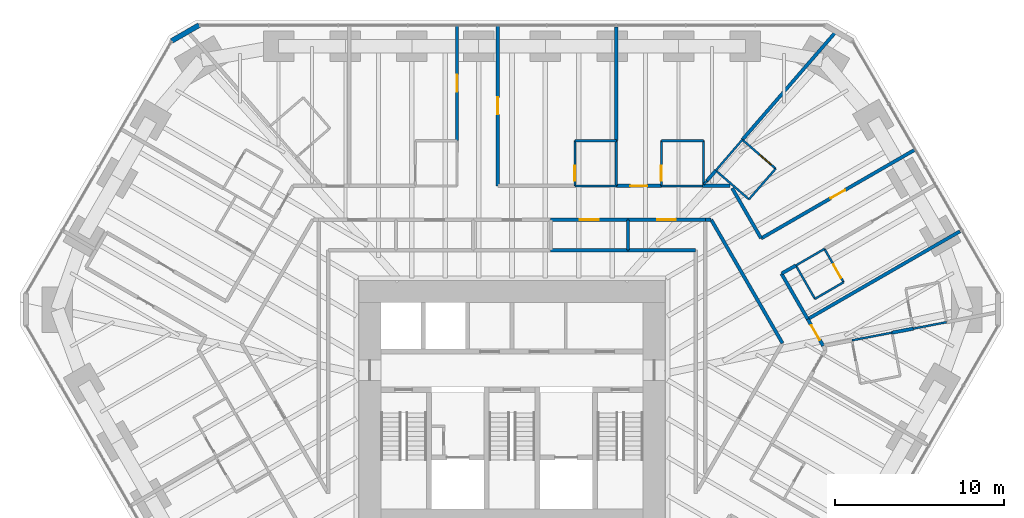
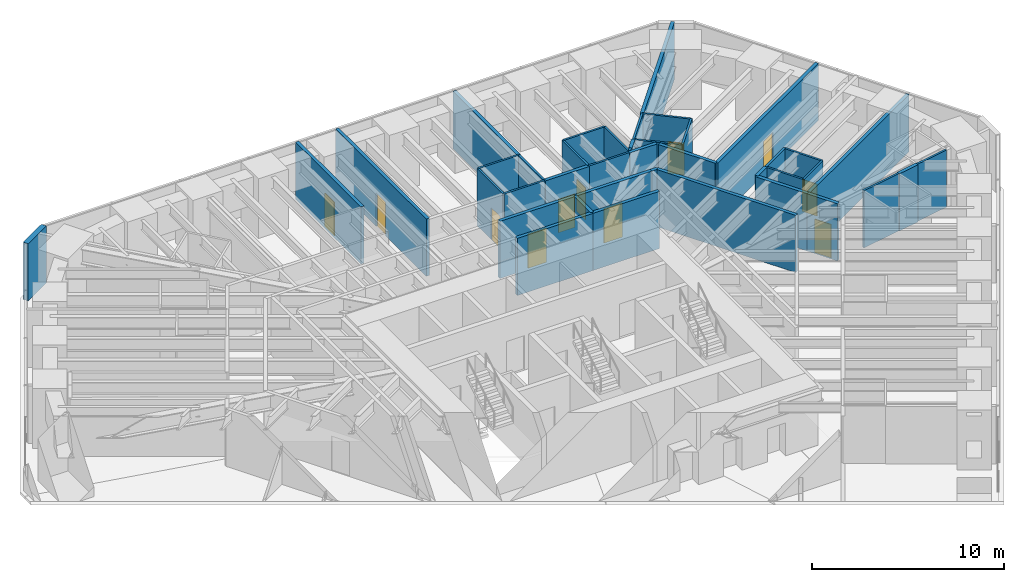
# One storey, part 15 of 17: 41 walls, 11 doors, 11 openings.
"""IFC4 building model written with IfcOpenShell, lengths in metres."""

import ifcopenshell
import ifcopenshell.guid

model = None  # the IFC model being written
_history = None  # IfcOwnerHistory: only IFC2X3 demands one
_inside = {}  # id of a spatial element -> (the spatial element, [elements in it])
_under = {}  # id of a project, library or spatial element -> (it, [spatial elements below it])
_declared = {}  # id of a project -> (the project, [libraries it declares])
_typed = {}  # id of a type object -> (the type object, [elements of that type])
_made_of = {}  # id of a material, layer set ... -> (it, [elements and type objects made of it])


def new_model(schema):
    """Start an empty IFC model of exactly this schema.

    Asked for "IFC4X3", IfcOpenShell would pick the latest addendum, in which some entities
    have other attributes; the version numbers below select the first issue.
    IFC2X3 requires an IfcOwnerHistory on every rooted entity: one is made here for all.
    """
    global model, _history
    if schema == "IFC4X3":
        model = ifcopenshell.file(schema_version=(4, 3, 0, 0))
    else:
        model = ifcopenshell.file(schema=schema)
    _inside.clear()
    _under.clear()
    _declared.clear()
    _typed.clear()
    _made_of.clear()
    _history = None
    if model.schema == "IFC2X3":
        org = make("IfcOrganization", Name="unknown")
        user = make(
            "IfcPersonAndOrganization",
            ThePerson=make("IfcPerson", FamilyName="unknown"),
            TheOrganization=org,
        )
        app = make(
            "IfcApplication",
            ApplicationDeveloper=org,
            Version="unknown",
            ApplicationFullName="unknown",
            ApplicationIdentifier="unknown",
        )
        _history = make(
            "IfcOwnerHistory",
            OwningUser=user,
            OwningApplication=app,
            ChangeAction="ADDED",
            CreationDate=0,
        )
    return model


def make(cls, **values):
    """One entity of the class cls with the attributes given. An attribute that is None is left unset."""
    return model.create_entity(
        cls, **{name: value for name, value in values.items() if value is not None}
    )


def rooted(cls, **values):
    """An entity with a GlobalId (a new one), such as an element, a storey or a relation."""
    return make(cls, GlobalId=ifcopenshell.guid.new(), OwnerHistory=_history, **values)


def si_unit(unit_type, name, prefix=None):
    """IfcSIUnit, for example si_unit("LENGTHUNIT", "METRE", prefix="MILLI")."""
    return make("IfcSIUnit", UnitType=unit_type, Prefix=prefix, Name=name)


def assignment(units):
    """IfcUnitAssignment: the units of a project."""
    return None if units is None else make("IfcUnitAssignment", Units=units)


def point(xyz):
    """IfcCartesianPoint."""
    return None if xyz is None else make("IfcCartesianPoint", Coordinates=xyz)


def direction(xyz):
    """IfcDirection."""
    return None if xyz is None else make("IfcDirection", DirectionRatios=xyz)


def frame(location, z_axis=None, x_axis=None):
    """IfcAxis2Placement3D, a coordinate frame: its origin and axes. An axis left out is left unset."""
    return make(
        "IfcAxis2Placement3D",
        Location=point(location),
        Axis=direction(z_axis),
        RefDirection=direction(x_axis),
    )


def frame_2d(location, x_axis=None):
    """IfcAxis2Placement2D, a coordinate frame in the plane: its origin and x axis."""
    return make(
        "IfcAxis2Placement2D", Location=point(location), RefDirection=direction(x_axis)
    )


def origin():
    """The frame at (0, 0, 0) with its axes left unset."""
    return frame((0.0, 0.0, 0.0))


def place(relative_to, where):
    """IfcLocalPlacement: puts the frame where relative to a parent placement (None: the world)."""
    return make(
        "IfcLocalPlacement", PlacementRelTo=relative_to, RelativePlacement=where
    )


def context(
    kind, dimensions, precision=None, world=None, true_north=None, identifier=None
):
    """IfcGeometricRepresentationContext, for example the 3D "Model" context."""
    return make(
        "IfcGeometricRepresentationContext",
        ContextIdentifier=identifier,
        ContextType=kind,
        CoordinateSpaceDimension=dimensions,
        Precision=precision,
        WorldCoordinateSystem=world,
        TrueNorth=true_north,
    )


def subcontext(parent, identifier, kind, view, scale=None):
    """IfcGeometricRepresentationSubContext, for example "Body" below "Model"."""
    return make(
        "IfcGeometricRepresentationSubContext",
        ContextIdentifier=identifier,
        ContextType=kind,
        ParentContext=parent,
        TargetScale=scale,
        TargetView=view,
    )


def project(units=None, contexts=None):
    """IfcProject with its units and contexts."""
    return rooted(
        "IfcProject",
        Name="project",
        RepresentationContexts=contexts,
        UnitsInContext=assignment(units),
    )


def spatial(cls, under=None, at=None, **own):
    """A site, building, storey or space (cls), placed at a placement, below another one or the project."""
    s = rooted(cls, ObjectPlacement=at, **own)
    if under is not None:
        _under.setdefault(under.id(), (under, []))[1].append(s)
    return s


def profile(cls, at=None, kind="AREA", **sizes):
    """A parametric profile (cls). Its sizes go by their IFC names, for example OverallWidth=200.0."""
    return make(cls, ProfileType=kind, Position=at, **sizes)


def rectangle(**sizes):
    """IfcRectangleProfileDef."""
    return profile("IfcRectangleProfileDef", **sizes)


def extrude(swept, where, along, depth):
    """IfcExtrudedAreaSolid: the profile swept, set in the frame where, extruded along a direction by depth."""
    return make(
        "IfcExtrudedAreaSolid",
        SweptArea=swept,
        Position=where,
        ExtrudedDirection=direction(along),
        Depth=depth,
    )


def shape(context_of_items, identifier, shape_type, items):
    """IfcShapeRepresentation: the items that make up one representation, for example the "Body"."""
    return make(
        "IfcShapeRepresentation",
        ContextOfItems=context_of_items,
        RepresentationIdentifier=identifier,
        RepresentationType=shape_type,
        Items=items,
    )


def material(Name=None, Category=None):
    """IfcMaterial."""
    return make("IfcMaterial", Name=Name, Category=Category)


def layer(
    of_material, thickness, ventilated=None, Name=None, Category=None, Priority=None
):
    """IfcMaterialLayer: one layer of a wall or slab, of a material (None: an air gap)."""
    return make(
        "IfcMaterialLayer",
        Material=of_material,
        LayerThickness=thickness,
        IsVentilated=ventilated,
        Name=Name,
        Category=Category,
        Priority=Priority,
    )


def layer_set(layers, Name=None):
    """IfcMaterialLayerSet."""
    return make("IfcMaterialLayerSet", MaterialLayers=layers, LayerSetName=Name)


def made_of(thing, what):
    """Note that an element or type object is made of a material, layer set ...; save() writes the relation."""
    if what is not None:
        _made_of.setdefault(what.id(), (what, []))[1].append(thing)
    return thing


def type_object(cls, material=None, **own):
    """A type object (cls), such as IfcWallType, which elements share."""
    return made_of(rooted(cls, **own), material)


def element(
    cls,
    number,
    at=None,
    inside=None,
    cuts=None,
    type_object=None,
    material=None,
    context=None,
    identifier="Body",
    shape_type=None,
    held_by="IfcProductDefinitionShape",
    body=None,
    shapes=None,
    **own,
):
    """One element of the class cls, such as IfcWall. Its Tag is "e" and its number.

    at: its placement. inside: the storey or other place that contains it. cuts: it is an
    opening in that element (IfcRelVoidsElement). A single representation is given by context,
    identifier, shape_type and body (its items); several are given by shapes. held_by: the class
    of the entity that holds the representations. save() writes the other relations.
    """
    e = rooted(cls, Tag="e%d" % number, ObjectPlacement=at, **own)
    if body is not None:
        shapes = [shape(context, identifier, shape_type, body)]
    if shapes is not None:
        e.Representation = make(held_by, Representations=shapes)
    if inside is not None:
        _inside.setdefault(inside.id(), (inside, []))[1].append(e)
    if cuts is not None:
        rooted(
            "IfcRelVoidsElement", RelatingBuildingElement=cuts, RelatedOpeningElement=e
        )
    if type_object is not None:
        _typed.setdefault(type_object.id(), (type_object, []))[1].append(e)
    return made_of(e, material)


def fill(opening, filler):
    """IfcRelFillsElement: the door or window that sits in an opening."""
    return rooted(
        "IfcRelFillsElement",
        RelatingOpeningElement=opening,
        RelatedBuildingElement=filler,
    )


def aggregate(whole, parts):
    """IfcRelAggregates: a whole, such as a stair, and the parts it consists of."""
    return rooted("IfcRelAggregates", RelatingObject=whole, RelatedObjects=parts)


def save(model, path):
    """Write the relations noted so far, then the file.

    IfcRelAggregates (storeys below a building ...), IfcRelContainedInSpatialStructure (elements
    in a storey), IfcRelDefinesByType, IfcRelAssociatesMaterial and IfcRelDeclares: one each for
    every whole, place, type object, material and project.
    """
    for whole, parts in _under.values():
        aggregate(whole, parts)
    for where, things in _inside.values():
        rooted(
            "IfcRelContainedInSpatialStructure",
            RelatedElements=things,
            RelatingStructure=where,
        )
    for kind, things in _typed.values():
        rooted("IfcRelDefinesByType", RelatedObjects=things, RelatingType=kind)
    for what, things in _made_of.values():
        rooted("IfcRelAssociatesMaterial", RelatedObjects=things, RelatingMaterial=what)
    for by, libraries in _declared.values():
        rooted("IfcRelDeclares", RelatingContext=by, RelatedDefinitions=libraries)
    model.write(path)


model = new_model("IFC4")

# Units and contexts
model_context = context("Model", 3, precision=1e-05, world=origin(), true_north=direction((0.0, 1.0)))
body_context = subcontext(model_context, "Body", "Model", "MODEL_VIEW")
ifc_project = project(units=[si_unit("LENGTHUNIT", "METRE"), si_unit("AREAUNIT", "SQUARE_METRE"), si_unit("VOLUMEUNIT", "CUBIC_METRE"), si_unit("PLANEANGLEUNIT", "RADIAN"), si_unit("MASSUNIT", "GRAM", prefix="KILO")], contexts=[model_context])

# Site, building, storey
site_placement = place(None, origin())
site = spatial("IfcSite", under=ifc_project, at=site_placement, CompositionType="ELEMENT")
building_placement = place(site_placement, origin())
building = spatial("IfcBuilding", under=site, at=building_placement, Name="Sandreach Pilgrim Tower", CompositionType="ELEMENT")
storey_placement = place(building_placement, frame((0.0, 0.0, 123.39990234375)))
storey = spatial("IfcBuildingStorey", under=building, at=storey_placement, Name="L30", CompositionType="ELEMENT", Elevation=123.39990234375)

# Wall, opening, door
ifc_material_1 = material(Name="Moisture-resistant gypsum board on steel studs", Category="steel")
ifc_layer_1 = layer(ifc_material_1, 0.1201171875)
ifc_layer_set_1 = layer_set([ifc_layer_1], Name="Bathroom partition 120")
wall_type_1 = type_object("IfcWallType", Name="Bathroom partition 120", PredefinedType="PARTITIONING", material=ifc_layer_set_1)
wall_1_placement = place(storey_placement, frame((3.7099609375, 15.659912109375, 0.0), z_axis=(0.0, 0.0, 1.0), x_axis=(0.0, -1.0, 0.0)))
wall_1 = element("IfcWall", 1, at=wall_1_placement, inside=storey, type_object=wall_type_1, Name="Bathroom partition L30-100", PredefinedType="PARTITIONING", context=body_context, shape_type="SweptSolid", body=[
    extrude(rectangle(XDim=2.669921875, YDim=0.1201171875, at=frame_2d((1.3349609375, 0.0))), origin(), (0.0, 0.0, 1.0), 3.64013671875),
])
opening_1_placement = place(wall_1_placement, frame((1.469970703125, 0.0, 0.0)))
opening_1 = element("IfcOpeningElement", 2, at=opening_1_placement, cuts=wall_1, Name="Opening D09-03B", PredefinedType="OPENING", context=body_context, shape_type="SweptSolid", body=[
    extrude(rectangle(XDim=0.89990234375, YDim=2.030029296875, at=frame_2d((0.449951171875, 1.01513671875))), frame((0.0, 0.06005859375, 0.0), z_axis=(0.0, -1.0, 0.0), x_axis=(1.0, 0.0, 0.0)), (0.0, 0.0, 1.0), 0.1201171875),
])
ifc_material_2 = material(Name="Timber door, steel frame", Category="steel")
door_type_1 = type_object("IfcDoorType", Name="Bathroom door", OperationType="SINGLE_SWING_LEFT", PredefinedType="DOOR", material=ifc_material_2)
door_1_placement = place(opening_1_placement, origin())
door_1 = element("IfcDoor", 3, at=door_1_placement, inside=storey, type_object=door_type_1, Name="Door 3003B", OperationType="SINGLE_SWING_RIGHT", OverallHeight=2.030029296875, OverallWidth=0.89990234375, PredefinedType="DOOR", context=body_context, shape_type="SweptSolid", body=[
    extrude(rectangle(XDim=0.89990234375, YDim=2.030029296875, at=frame_2d((0.449951171875, 1.01513671875))), frame((0.0, 0.02490234375, 0.0), z_axis=(0.0, -1.0, 0.0), x_axis=(1.0, 0.0, 0.0)), (0.0, 0.0, 1.0), 0.050048828125),
])
fill(opening_1, door_1)

# Walls
for number, where, z_axis, x_axis, name in (
    (4, (6.159912109375, 12.989990234375, 0.0), (0.0, 0.0, 1.0), (-1.0, 0.0, 0.0), "Bathroom partition L30-108"),
    (5, (6.159912109375, 15.659912109375, 0.0), (0.0, 0.0, 1.0), (-1.0, 0.0, 0.0), "Bathroom partition L30-109"),
):
    element("IfcWall", number, at=place(storey_placement, frame(where, z_axis=z_axis, x_axis=x_axis)), inside=storey, type_object=wall_type_1, Name=name, PredefinedType="PARTITIONING", context=body_context, shape_type="SweptSolid", body=[
        extrude(rectangle(XDim=2.449951171875, YDim=0.1201171875, at=frame_2d((1.22509765625, 0.0))), origin(), (0.0, 0.0, 1.0), 3.64013671875),
    ])
wall_2_placement = place(storey_placement, frame((6.159912109375, 15.659912109375, 0.0), z_axis=(0.0, 0.0, 1.0), x_axis=(0.0, -1.0, 0.0)))
element("IfcWall", 6, at=wall_2_placement, inside=storey, type_object=wall_type_1, Name="Bathroom partition L30-110", PredefinedType="PARTITIONING", context=body_context, shape_type="SweptSolid", body=[
    extrude(rectangle(XDim=2.669921875, YDim=0.1201171875, at=frame_2d((1.3349609375, 0.0))), origin(), (0.0, 0.0, 1.0), 3.64013671875),
])

# Wall, opening, door
wall_3_placement = place(storey_placement, frame((8.820068359375, 15.659912109375, 0.0), z_axis=(0.0, 0.0, 1.0), x_axis=(0.0, -1.0, 0.0)))
wall_3 = element("IfcWall", 7, at=wall_3_placement, inside=storey, type_object=wall_type_1, Name="Bathroom partition L30-120", PredefinedType="PARTITIONING", context=body_context, shape_type="SweptSolid", body=[
    extrude(rectangle(XDim=2.669921875, YDim=0.1201171875, at=frame_2d((1.3349609375, 0.0))), origin(), (0.0, 0.0, 1.0), 3.64013671875),
])
opening_2_placement = place(wall_3_placement, frame((1.469970703125, 0.0, 0.0)))
opening_2 = element("IfcOpeningElement", 8, at=opening_2_placement, cuts=wall_3, Name="Opening D09-04B", PredefinedType="OPENING", context=body_context, shape_type="SweptSolid", body=[
    extrude(rectangle(XDim=0.89990234375, YDim=2.030029296875, at=frame_2d((0.449951171875, 1.01513671875))), frame((0.0, 0.06005859375, 0.0), z_axis=(0.0, -1.0, 0.0), x_axis=(1.0, 0.0, 0.0)), (0.0, 0.0, 1.0), 0.1201171875),
])
door_2_placement = place(opening_2_placement, origin())
door_2 = element("IfcDoor", 9, at=door_2_placement, inside=storey, type_object=door_type_1, Name="Door 3004B", OperationType="SINGLE_SWING_RIGHT", OverallHeight=2.030029296875, OverallWidth=0.89990234375, PredefinedType="DOOR", context=body_context, shape_type="SweptSolid", body=[
    extrude(rectangle(XDim=0.89990234375, YDim=2.030029296875, at=frame_2d((0.449951171875, 1.01513671875))), frame((0.0, 0.02490234375, 0.0), z_axis=(0.0, -1.0, 0.0), x_axis=(1.0, 0.0, 0.0)), (0.0, 0.0, 1.0), 0.050048828125),
])
fill(opening_2, door_2)

# Walls
wall_4_placement = place(storey_placement, frame((11.25, 12.989990234375, 0.0), z_axis=(0.0, 0.0, 1.0), x_axis=(-1.0, 0.0, 0.0)))
element("IfcWall", 10, at=wall_4_placement, inside=storey, type_object=wall_type_1, Name="Bathroom partition L30-126", PredefinedType="PARTITIONING", context=body_context, shape_type="SweptSolid", body=[
    extrude(rectangle(XDim=2.429931640625, YDim=0.1201171875, at=frame_2d((1.21484375, 0.0))), origin(), (0.0, 0.0, 1.0), 3.64013671875),
])
wall_5_placement = place(storey_placement, frame((11.320068359375, 13.070068359375, 0.0), z_axis=(0.0, 0.0, 1.0), x_axis=(0.0, 1.0, 0.0)))
element("IfcWall", 11, at=wall_5_placement, inside=storey, type_object=wall_type_1, Name="Bathroom partition L30-129", PredefinedType="PARTITIONING", context=body_context, shape_type="SweptSolid", body=[
    extrude(rectangle(XDim=2.58984375, YDim=0.1201171875, at=frame_2d((1.294921875, 0.0))), origin(), (0.0, 0.0, 1.0), 3.64013671875),
])
wall_6_placement = place(storey_placement, frame((11.320068359375, 15.659912109375, 0.0), z_axis=(0.0, 0.0, 1.0), x_axis=(-1.0, 0.0, 0.0)))
element("IfcWall", 12, at=wall_6_placement, inside=storey, type_object=wall_type_1, Name="Bathroom partition L30-130", PredefinedType="PARTITIONING", context=body_context, shape_type="SweptSolid", body=[
    extrude(rectangle(XDim=2.5, YDim=0.1201171875, at=frame_2d((1.25, 0.0))), origin(), (0.0, 0.0, 1.0), 3.64013671875),
])
wall_7_placement = place(storey_placement, frame((11.33642578125, 13.0888671875, 0.0), z_axis=(0.0, 0.0, 1.0), x_axis=(0.65328489719, 0.757112173396, 0.0)))
element("IfcWall", 13, at=wall_7_placement, inside=storey, type_object=wall_type_1, Name="Bathroom partition L30-131", PredefinedType="PARTITIONING", context=body_context, shape_type="SweptSolid", body=[
    extrude(rectangle(XDim=0.265625, YDim=0.1201171875, at=frame_2d((0.1328125, 0.0))), origin(), (0.0, 0.0, 1.0), 3.64013671875),
])
wall_8_placement = place(storey_placement, frame((12.0390625, 13.90087890625, 0.0), z_axis=(0.0, 0.0, 1.0), x_axis=(0.653622514847, 0.756820723874, 0.0)))
element("IfcWall", 14, at=wall_8_placement, inside=storey, type_object=wall_type_1, Name="Bathroom partition L30-137", PredefinedType="PARTITIONING", context=body_context, shape_type="SweptSolid", body=[
    extrude(rectangle(XDim=2.403564453125, YDim=0.1201171875, at=frame_2d((1.20166015625, 0.0))), origin(), (0.0, 0.0, 1.0), 3.64013671875),
])
wall_9_placement = place(storey_placement, frame((12.0400390625, 13.89990234375, 0.0), z_axis=(0.0, 0.0, 1.0), x_axis=(0.755437535555, -0.655220672655, 0.0)))
element("IfcWall", 15, at=wall_9_placement, inside=storey, type_object=wall_type_1, Name="Bathroom partition L30-138", PredefinedType="PARTITIONING", context=body_context, shape_type="SweptSolid", body=[
    extrude(rectangle(XDim=2.594482421875, YDim=0.1201171875, at=frame_2d((1.29736328125, 0.0))), origin(), (0.0, 0.0, 1.0), 3.64013671875),
])
wall_10_placement = place(storey_placement, frame((14.0, 12.199951171875, 0.0), z_axis=(0.0, 0.0, 1.0), x_axis=(0.657626528627, 0.753344110514, 0.0)))
element("IfcWall", 16, at=wall_10_placement, inside=storey, type_object=wall_type_1, Name="Bathroom partition L30-144", PredefinedType="PARTITIONING", context=body_context, shape_type="SweptSolid", body=[
    extrude(rectangle(XDim=2.402587890625, YDim=0.1201171875, at=frame_2d((1.201171875, 0.0))), origin(), (0.0, 0.0, 1.0), 3.64013671875),
])

# Wall, opening, door
wall_11_placement = place(storey_placement, frame((15.580078125, 14.010009765625, 0.0), z_axis=(0.0, 0.0, 1.0), x_axis=(-0.755185511235, 0.655511131576, 0.0)))
wall_11 = element("IfcWall", 17, at=wall_11_placement, inside=storey, type_object=wall_type_1, Name="Bathroom partition L30-148", PredefinedType="PARTITIONING", context=body_context, shape_type="SweptSolid", body=[
    extrude(rectangle(XDim=2.608642578125, YDim=0.1201171875, at=frame_2d((1.30419921875, 0.0))), origin(), (0.0, 0.0, 1.0), 3.64013671875),
])
opening_3_placement = place(wall_11_placement, frame((0.35009765625, 0.0, 0.0)))
opening_3 = element("IfcOpeningElement", 18, at=opening_3_placement, cuts=wall_11, Name="Opening D09-05B", PredefinedType="OPENING", context=body_context, shape_type="SweptSolid", body=[
    extrude(rectangle(XDim=0.89990234375, YDim=2.030029296875, at=frame_2d((0.449951171875, 1.01513671875))), frame((0.0, 0.06005859375, 0.0), z_axis=(0.0, -1.0, 0.0), x_axis=(1.0, 0.0, 0.0)), (0.0, 0.0, 1.0), 0.1201171875),
])
door_3_placement = place(opening_3_placement, origin())
door_3 = element("IfcDoor", 19, at=door_3_placement, inside=storey, type_object=door_type_1, Name="Door 3005B", OperationType="SINGLE_SWING_LEFT", OverallHeight=2.030029296875, OverallWidth=0.89990234375, PredefinedType="DOOR", context=body_context, shape_type="SweptSolid", body=[
    extrude(rectangle(XDim=0.89990234375, YDim=2.030029296875, at=frame_2d((0.449951171875, 1.01513671875))), frame((0.0, 0.02490234375, 0.0), z_axis=(0.0, -1.0, 0.0), x_axis=(1.0, 0.0, 0.0)), (0.0, 0.0, 1.0), 0.050048828125),
])
fill(opening_3, door_3)

# Walls
wall_12_placement = place(storey_placement, frame((16.77001953125, 8.2900390625, 0.0), z_axis=(0.0, 0.0, 1.0), x_axis=(0.497527583083, -0.867448156417, 0.0)))
element("IfcWall", 20, at=wall_12_placement, inside=storey, type_object=wall_type_1, Name="Bathroom partition L30-154", PredefinedType="PARTITIONING", context=body_context, shape_type="SweptSolid", body=[
    extrude(rectangle(XDim=2.27099609375, YDim=0.1201171875, at=frame_2d((1.135498046875, 0.0))), origin(), (0.0, 0.0, 1.0), 3.64013671875),
])
wall_13_placement = place(storey_placement, frame((16.77001953125, 8.2900390625, 0.0), z_axis=(0.0, 0.0, 1.0), x_axis=(0.86507240805, 0.501647016168, 0.0)))
element("IfcWall", 21, at=wall_13_placement, inside=storey, type_object=wall_type_1, Name="Bathroom partition L30-155", PredefinedType="PARTITIONING", context=body_context, shape_type="SweptSolid", body=[
    extrude(rectangle(XDim=1.95361328125, YDim=0.1201171875, at=frame_2d((0.976806640625, 0.0))), origin(), (0.0, 0.0, 1.0), 3.64013671875),
])
wall_14_placement = place(storey_placement, frame((17.89990234375, 6.320068359375, 0.0), z_axis=(0.0, 0.0, 1.0), x_axis=(0.865103852711, 0.501592787055, 0.0)))
element("IfcWall", 22, at=wall_14_placement, inside=storey, type_object=wall_type_1, Name="Bathroom partition L30-159", PredefinedType="PARTITIONING", context=body_context, shape_type="SweptSolid", body=[
    extrude(rectangle(XDim=1.953857421875, YDim=0.1201171875, at=frame_2d((0.97705078125, 0.0))), origin(), (0.0, 0.0, 1.0), 3.64013671875),
])

# Wall, opening, door
wall_15_placement = place(storey_placement, frame((19.590087890625, 7.300048828125, 0.0), z_axis=(0.0, 0.0, 1.0), x_axis=(-0.49760846958, 0.867401758704, 0.0)))
wall_15 = element("IfcWall", 23, at=wall_15_placement, inside=storey, type_object=wall_type_1, Name="Bathroom partition L30-163", PredefinedType="PARTITIONING", context=body_context, shape_type="SweptSolid", body=[
    extrude(rectangle(XDim=2.27099609375, YDim=0.1201171875, at=frame_2d((1.135498046875, 0.0))), origin(), (0.0, 0.0, 1.0), 3.64013671875),
])
opening_4_placement = place(wall_15_placement, frame((0.300048828125, 0.0, 0.0)))
opening_4 = element("IfcOpeningElement", 24, at=opening_4_placement, cuts=wall_15, Name="Opening D09-06B", PredefinedType="OPENING", context=body_context, shape_type="SweptSolid", body=[
    extrude(rectangle(XDim=0.89990234375, YDim=2.030029296875, at=frame_2d((0.449951171875, 1.01513671875))), frame((0.0, 0.06005859375, 0.0), z_axis=(0.0, -1.0, 0.0), x_axis=(1.0, 0.0, 0.0)), (0.0, 0.0, 1.0), 0.1201171875),
])
door_4_placement = place(opening_4_placement, origin())
door_4 = element("IfcDoor", 25, at=door_4_placement, inside=storey, type_object=door_type_1, Name="Door 3006B", OperationType="SINGLE_SWING_LEFT", OverallHeight=2.030029296875, OverallWidth=0.89990234375, PredefinedType="DOOR", context=body_context, shape_type="SweptSolid", body=[
    extrude(rectangle(XDim=0.89990234375, YDim=2.030029296875, at=frame_2d((0.449951171875, 1.01513671875))), frame((0.0, 0.02490234375, 0.0), z_axis=(0.0, -1.0, 0.0), x_axis=(1.0, 0.0, 0.0)), (0.0, 0.0, 1.0), 0.050048828125),
])
fill(opening_4, door_4)

# Walls
wall_16_placement = place(storey_placement, frame((20.090087890625, 3.8701171875, 0.0), z_axis=(0.0, 0.0, 1.0), x_axis=(0.982303859288, 0.187294228499, 0.0)))
element("IfcWall", 26, at=wall_16_placement, inside=storey, type_object=wall_type_1, Name="Bathroom partition L30-165", PredefinedType="PARTITIONING", context=body_context, shape_type="SweptSolid", body=[
    extrude(rectangle(XDim=2.40234375, YDim=0.1201171875, at=frame_2d((1.201171875, 0.0))), origin(), (0.0, 0.0, 1.0), 3.64013671875),
])
wall_17_placement = place(storey_placement, frame((23.7099609375, 4.56005859375, 0.0), z_axis=(0.0, 0.0, 1.0), x_axis=(0.981729772821, 0.190280459207, 0.0)))
element("IfcWall", 27, at=wall_17_placement, inside=storey, type_object=wall_type_1, Name="Bathroom partition L30-170", PredefinedType="PARTITIONING", context=body_context, shape_type="SweptSolid", body=[
    extrude(rectangle(XDim=1.996337890625, YDim=0.1201171875, at=frame_2d((0.998046875, 0.0))), origin(), (0.0, 0.0, 1.0), 3.64013671875),
])

# Wall, opening, door
ifc_material_3 = material(Name="Gypsum board on steel studs, two layers each side", Category="steel")
ifc_layer_2 = layer(ifc_material_3, 0.199951171875)
ifc_layer_set_2 = layer_set([ifc_layer_2], Name="Corridor wall 200")
wall_type_2 = type_object("IfcWallType", Name="Corridor wall 200", PredefinedType="PARTITIONING", material=ifc_layer_set_2)
wall_18_placement = place(storey_placement, frame((-3.25, 22.4599609375, 0.0), z_axis=(0.0, 0.0, 1.0), x_axis=(0.0, -1.0, 0.0)))
wall_18 = element("IfcWall", 28, at=wall_18_placement, inside=storey, type_object=wall_type_2, Name="Corridor wall L30-082", PredefinedType="PARTITIONING", context=body_context, shape_type="SweptSolid", body=[
    extrude(rectangle(XDim=6.800048828125, YDim=0.199951171875, at=frame_2d((3.39990234375, 0.0))), origin(), (0.0, 0.0, 1.0), 3.64013671875),
])
opening_5_placement = place(wall_18_placement, frame((2.89990234375, 0.0, 0.0)))
opening_5 = element("IfcOpeningElement", 29, at=opening_5_placement, cuts=wall_18, Name="Opening D10-02", PredefinedType="OPENING", context=body_context, shape_type="SweptSolid", body=[
    extrude(rectangle(XDim=1.0, YDim=2.1298828125, at=frame_2d((0.5, 1.06494140625))), frame((0.0, 0.10009765625, 0.0), z_axis=(0.0, -1.0, 0.0), x_axis=(1.0, 0.0, 0.0)), (0.0, 0.0, 1.0), 0.199951171875),
])
ifc_material_4 = material(Name="Steel door and frame", Category="steel")
door_type_2 = type_object("IfcDoorType", Name="Guest room entry door", OperationType="SINGLE_SWING_LEFT", PredefinedType="DOOR", material=ifc_material_4)
door_5_placement = place(opening_5_placement, origin())
door_5 = element("IfcDoor", 30, at=door_5_placement, inside=storey, type_object=door_type_2, Name="Door 3002", OperationType="SINGLE_SWING_LEFT", OverallHeight=2.1298828125, OverallWidth=1.0, PredefinedType="DOOR", context=body_context, shape_type="SweptSolid", body=[
    extrude(rectangle(XDim=1.0, YDim=2.1298828125, at=frame_2d((0.5, 1.06494140625))), frame((0.0, 0.02490234375, 0.0), z_axis=(0.0, -1.0, 0.0), x_axis=(1.0, 0.0, 0.0)), (0.0, 0.0, 1.0), 0.050048828125),
])
fill(opening_5, door_5)

wall_19_placement = place(storey_placement, frame((-0.85009765625, 12.989990234375, 0.0), z_axis=(0.0, 0.0, 1.0), x_axis=(0.0, 1.0, 0.0)))
wall_19 = element("IfcWall", 31, at=wall_19_placement, inside=storey, type_object=wall_type_2, Name="Corridor wall L30-091", PredefinedType="PARTITIONING", context=body_context, shape_type="SweptSolid", body=[
    extrude(rectangle(XDim=9.469970703125, YDim=0.199951171875, at=frame_2d((4.73486328125, 0.0))), origin(), (0.0, 0.0, 1.0), 3.64013671875),
])
opening_6_placement = place(wall_19_placement, frame((4.235107421875, 0.0, 0.0)))
opening_6 = element("IfcOpeningElement", 32, at=opening_6_placement, cuts=wall_19, Name="Opening D10-03", PredefinedType="OPENING", context=body_context, shape_type="SweptSolid", body=[
    extrude(rectangle(XDim=1.0, YDim=2.1298828125, at=frame_2d((0.5, 1.06494140625))), frame((0.0, 0.10009765625, 0.0), z_axis=(0.0, -1.0, 0.0), x_axis=(1.0, 0.0, 0.0)), (0.0, 0.0, 1.0), 0.199951171875),
])
door_6_placement = place(opening_6_placement, origin())
door_6 = element("IfcDoor", 33, at=door_6_placement, inside=storey, type_object=door_type_2, Name="Door 3003", OperationType="SINGLE_SWING_LEFT", OverallHeight=2.1298828125, OverallWidth=1.0, PredefinedType="DOOR", context=body_context, shape_type="SweptSolid", body=[
    extrude(rectangle(XDim=1.0, YDim=2.1298828125, at=frame_2d((0.5, 1.06494140625))), frame((0.0, 0.02490234375, 0.0), z_axis=(0.0, -1.0, 0.0), x_axis=(1.0, 0.0, 0.0)), (0.0, 0.0, 1.0), 0.050048828125),
])
fill(opening_6, door_6)

wall_20_placement = place(storey_placement, frame((2.280029296875, 10.989990234375, 0.0), z_axis=(0.0, 0.0, 1.0), x_axis=(1.0, 0.0, 0.0)))
wall_20 = element("IfcWall", 34, at=wall_20_placement, inside=storey, type_object=wall_type_2, Name="Corridor wall L30-096", PredefinedType="PARTITIONING", context=body_context, shape_type="SweptSolid", body=[
    extrude(rectangle(XDim=4.570068359375, YDim=0.199951171875, at=frame_2d((2.28515625, 0.0))), origin(), (0.0, 0.0, 1.0), 3.64013671875),
])
opening_7_placement = place(wall_20_placement, frame((1.735107421875, 0.0, 0.0)))
opening_7 = element("IfcOpeningElement", 35, at=opening_7_placement, cuts=wall_20, Name="Opening D11H-M05", PredefinedType="OPENING", context=body_context, shape_type="SweptSolid", body=[
    extrude(rectangle(XDim=1.10009765625, YDim=2.199951171875, at=frame_2d((0.550048828125, 1.10009765625))), frame((0.0, 0.10009765625, 0.0), z_axis=(0.0, -1.0, 0.0), x_axis=(1.0, 0.0, 0.0)), (0.0, 0.0, 1.0), 0.199951171875),
])
ifc_material_5 = material(Name="Steel door and frame", Category="steel")
door_type_3 = type_object("IfcDoorType", Name="Back of house door", OperationType="SINGLE_SWING_LEFT", PredefinedType="DOOR", material=ifc_material_5)
door_7_placement = place(opening_7_placement, origin())
door_7 = element("IfcDoor", 36, at=door_7_placement, inside=storey, type_object=door_type_3, Name="Door 30M05", OperationType="SINGLE_SWING_LEFT", OverallHeight=2.199951171875, OverallWidth=1.10009765625, PredefinedType="DOOR", context=body_context, shape_type="SweptSolid", body=[
    extrude(rectangle(XDim=1.10009765625, YDim=2.199951171875, at=frame_2d((0.550048828125, 1.10009765625))), frame((0.0, 0.02490234375, 0.0), z_axis=(0.0, -1.0, 0.0), x_axis=(1.0, 0.0, 0.0)), (0.0, 0.0, 1.0), 0.050048828125),
])
fill(opening_7, door_7)

# Wall
wall_21_placement = place(storey_placement, frame((6.85009765625, 9.199951171875, 0.0), z_axis=(0.0, 0.0, 1.0), x_axis=(-1.0, 0.0, 0.0)))
element("IfcWall", 37, at=wall_21_placement, inside=storey, type_object=wall_type_2, Name="Corridor wall L30-113", PredefinedType="PARTITIONING", context=body_context, shape_type="SweptSolid", body=[
    extrude(rectangle(XDim=4.570068359375, YDim=0.199951171875, at=frame_2d((2.28515625, 0.0))), origin(), (0.0, 0.0, 1.0), 3.64013671875),
])

# Wall, opening, door
wall_22_placement = place(storey_placement, frame((6.85009765625, 10.989990234375, 0.0), z_axis=(0.0, 0.0, 1.0), x_axis=(1.0, 0.0, 0.0)))
wall_22 = element("IfcWall", 38, at=wall_22_placement, inside=storey, type_object=wall_type_2, Name="Corridor wall L30-115", PredefinedType="PARTITIONING", context=body_context, shape_type="SweptSolid", body=[
    extrude(rectangle(XDim=4.56982421875, YDim=0.199951171875, at=frame_2d((2.284912109375, 0.0))), origin(), (0.0, 0.0, 1.0), 3.64013671875),
])
opening_8_placement = place(wall_22_placement, frame((1.735107421875, 0.0, 0.0)))
opening_8 = element("IfcOpeningElement", 39, at=opening_8_placement, cuts=wall_22, Name="Opening D11H-M06", PredefinedType="OPENING", context=body_context, shape_type="SweptSolid", body=[
    extrude(rectangle(XDim=1.10009765625, YDim=2.199951171875, at=frame_2d((0.550048828125, 1.10009765625))), frame((0.0, 0.10009765625, 0.0), z_axis=(0.0, -1.0, 0.0), x_axis=(1.0, 0.0, 0.0)), (0.0, 0.0, 1.0), 0.199951171875),
])
door_8_placement = place(opening_8_placement, origin())
door_8 = element("IfcDoor", 40, at=door_8_placement, inside=storey, type_object=door_type_3, Name="Door 30M06", OperationType="SINGLE_SWING_LEFT", OverallHeight=2.199951171875, OverallWidth=1.10009765625, PredefinedType="DOOR", context=body_context, shape_type="SweptSolid", body=[
    extrude(rectangle(XDim=1.10009765625, YDim=2.199951171875, at=frame_2d((0.550048828125, 1.10009765625))), frame((0.0, 0.02490234375, 0.0), z_axis=(0.0, -1.0, 0.0), x_axis=(1.0, 0.0, 0.0)), (0.0, 0.0, 1.0), 0.050048828125),
])
fill(opening_8, door_8)

wall_23_placement = place(storey_placement, frame((8.820068359375, 12.989990234375, 0.0), z_axis=(0.0, 0.0, 1.0), x_axis=(-1.0, 0.0, 0.0)))
wall_23 = element("IfcWall", 41, at=wall_23_placement, inside=storey, type_object=wall_type_2, Name="Corridor wall L30-119", PredefinedType="PARTITIONING", context=body_context, shape_type="SweptSolid", body=[
    extrude(rectangle(XDim=2.66015625, YDim=0.199951171875, at=frame_2d((1.330078125, 0.0))), origin(), (0.0, 0.0, 1.0), 3.64013671875),
])
opening_9_placement = place(wall_23_placement, frame((0.830078125, 0.0, 0.0)))
opening_9 = element("IfcOpeningElement", 42, at=opening_9_placement, cuts=wall_23, Name="Opening D10-04", PredefinedType="OPENING", context=body_context, shape_type="SweptSolid", body=[
    extrude(rectangle(XDim=1.0, YDim=2.1298828125, at=frame_2d((0.5, 1.06494140625))), frame((0.0, 0.10009765625, 0.0), z_axis=(0.0, -1.0, 0.0), x_axis=(1.0, 0.0, 0.0)), (0.0, 0.0, 1.0), 0.199951171875),
])
door_9_placement = place(opening_9_placement, origin())
door_9 = element("IfcDoor", 43, at=door_9_placement, inside=storey, type_object=door_type_2, Name="Door 3004", OperationType="SINGLE_SWING_LEFT", OverallHeight=2.1298828125, OverallWidth=1.0, PredefinedType="DOOR", context=body_context, shape_type="SweptSolid", body=[
    extrude(rectangle(XDim=1.0, YDim=2.1298828125, at=frame_2d((0.5, 1.06494140625))), frame((0.0, 0.02490234375, 0.0), z_axis=(0.0, -1.0, 0.0), x_axis=(1.0, 0.0, 0.0)), (0.0, 0.0, 1.0), 0.050048828125),
])
fill(opening_9, door_9)

# Walls
wall_24_placement = place(storey_placement, frame((10.840087890625, 9.199951171875, 0.0), z_axis=(0.0, 0.0, 1.0), x_axis=(-1.0, 0.0, 0.0)))
element("IfcWall", 44, at=wall_24_placement, inside=storey, type_object=wall_type_2, Name="Corridor wall L30-124", PredefinedType="PARTITIONING", context=body_context, shape_type="SweptSolid", body=[
    extrude(rectangle(XDim=3.989990234375, YDim=0.199951171875, at=frame_2d((1.9951171875, 0.0))), origin(), (0.0, 0.0, 1.0), 3.64013671875),
])
wall_25_placement = place(storey_placement, frame((11.419921875, 10.989990234375, 0.0), z_axis=(0.0, 0.0, 1.0), x_axis=(1.0, 0.0, 0.0)))
element("IfcWall", 45, at=wall_25_placement, inside=storey, type_object=wall_type_2, Name="Corridor wall L30-134", PredefinedType="PARTITIONING", context=body_context, shape_type="SweptSolid", body=[
    extrude(rectangle(XDim=0.35009765625, YDim=0.199951171875, at=frame_2d((0.175048828125, 0.0))), origin(), (0.0, 0.0, 1.0), 3.64013671875),
])
wall_26_placement = place(storey_placement, frame((11.77001953125, 10.989990234375, 0.0), z_axis=(0.0, 0.0, 1.0), x_axis=(0.500093981358, -0.865971136822, 0.0)))
element("IfcWall", 46, at=wall_26_placement, inside=storey, type_object=wall_type_2, Name="Corridor wall L30-136", PredefinedType="PARTITIONING", context=body_context, shape_type="SweptSolid", body=[
    extrude(rectangle(XDim=8.41845703125, YDim=0.199951171875, at=frame_2d((4.209228515625, 0.0))), origin(), (0.0, 0.0, 1.0), 3.64013671875),
])
wall_27_placement = place(storey_placement, frame((12.885009765625, 12.989990234375, 0.0), z_axis=(0.0, 0.0, 1.0), x_axis=(-1.0, 0.0, 0.0)))
element("IfcWall", 47, at=wall_27_placement, inside=storey, type_object=wall_type_2, Name="Corridor wall L30-140", PredefinedType="PARTITIONING", context=body_context, shape_type="SweptSolid", body=[
    extrude(rectangle(XDim=1.635009765625, YDim=0.199951171875, at=frame_2d((0.8173828125, 0.0))), origin(), (0.0, 0.0, 1.0), 3.64013671875),
])
wall_28_placement = place(storey_placement, frame((13.005126953125, 12.860107421875, 0.0), z_axis=(0.0, 0.0, 1.0), x_axis=(0.500007161152, -0.866021269252, 0.0)))
element("IfcWall", 48, at=wall_28_placement, inside=storey, type_object=wall_type_2, Name="Corridor wall L30-142", PredefinedType="PARTITIONING", context=body_context, shape_type="SweptSolid", body=[
    extrude(rectangle(XDim=3.41455078125, YDim=0.199951171875, at=frame_2d((1.707275390625, 0.0))), origin(), (0.0, 0.0, 1.0), 3.64013671875),
])
wall_29_placement = place(storey_placement, frame((15.919921875, 7.81005859375, 0.0), z_axis=(0.0, 0.0, 1.0), x_axis=(0.499277611559, -0.866442073422, 0.0)))
element("IfcWall", 49, at=wall_29_placement, inside=storey, type_object=wall_type_2, Name="Corridor wall L30-149", PredefinedType="PARTITIONING", context=body_context, shape_type="SweptSolid", body=[
    extrude(rectangle(XDim=3.1044921875, YDim=0.199951171875, at=frame_2d((1.55224609375, 0.0))), origin(), (0.0, 0.0, 1.0), 3.64013671875),
])
wall_30_placement = place(storey_placement, frame((15.93310546875, 7.8173828125, 0.0), z_axis=(0.0, 0.0, 1.0), x_axis=(0.870733094426, 0.491755913305, 0.0)))
element("IfcWall", 50, at=wall_30_placement, inside=storey, type_object=wall_type_2, Name="Corridor wall L30-150", PredefinedType="PARTITIONING", context=body_context, shape_type="SweptSolid", body=[
    extrude(rectangle(XDim=0.961181640625, YDim=0.199951171875, at=frame_2d((0.48046875, 0.0))), origin(), (0.0, 0.0, 1.0), 3.64013671875),
])

# Wall, opening, door
wall_31_placement = place(storey_placement, frame((17.469970703125, 5.1201171875, 0.0), z_axis=(0.0, 0.0, 1.0), x_axis=(0.501536229379, -0.865136642745, 0.0)))
wall_31 = element("IfcWall", 51, at=wall_31_placement, inside=storey, type_object=wall_type_2, Name="Corridor wall L30-157", PredefinedType="PARTITIONING", context=body_context, shape_type="SweptSolid", body=[
    extrude(rectangle(XDim=1.828369140625, YDim=0.199951171875, at=frame_2d((0.9140625, 0.0))), origin(), (0.0, 0.0, 1.0), 3.64013671875),
])
opening_10_placement = place(wall_31_placement, frame((0.414306640625, 0.0, 0.0)))
opening_10 = element("IfcOpeningElement", 52, at=opening_10_placement, cuts=wall_31, Name="Opening D10-07", PredefinedType="OPENING", context=body_context, shape_type="SweptSolid", body=[
    extrude(rectangle(XDim=1.0, YDim=2.1298828125, at=frame_2d((0.5, 1.06494140625))), frame((0.0, 0.10009765625, 0.0), z_axis=(0.0, -1.0, 0.0), x_axis=(1.0, 0.0, 0.0)), (0.0, 0.0, 1.0), 0.199951171875),
])
door_10_placement = place(opening_10_placement, origin())
door_10 = element("IfcDoor", 53, at=door_10_placement, inside=storey, type_object=door_type_2, Name="Door 3007", OperationType="SINGLE_SWING_LEFT", OverallHeight=2.1298828125, OverallWidth=1.0, PredefinedType="DOOR", context=body_context, shape_type="SweptSolid", body=[
    extrude(rectangle(XDim=1.0, YDim=2.1298828125, at=frame_2d((0.5, 1.06494140625))), frame((0.0, 0.02490234375, 0.0), z_axis=(0.0, -1.0, 0.0), x_axis=(1.0, 0.0, 0.0)), (0.0, 0.0, 1.0), 0.050048828125),
])
fill(opening_10, door_10)

wall_32_placement = place(storey_placement, frame((23.7939453125, 15.125, 0.0), z_axis=(0.0, 0.0, 1.0), x_axis=(-0.866190629897, -0.499713710718, 0.0)))
wall_32 = element("IfcWall", 54, at=wall_32_placement, inside=storey, type_object=wall_type_2, Name="Corridor wall L30-171", PredefinedType="PARTITIONING", context=body_context, shape_type="SweptSolid", body=[
    extrude(rectangle(XDim=10.475830078125, YDim=0.199951171875, at=frame_2d((5.23779296875, 0.0))), origin(), (0.0, 0.0, 1.0), 3.64013671875),
])
opening_11_placement = place(wall_32_placement, frame((4.73779296875, 0.0, 0.0)))
opening_11 = element("IfcOpeningElement", 55, at=opening_11_placement, cuts=wall_32, Name="Opening D10-05", PredefinedType="OPENING", context=body_context, shape_type="SweptSolid", body=[
    extrude(rectangle(XDim=1.0, YDim=2.1298828125, at=frame_2d((0.5, 1.06494140625))), frame((0.0, 0.10009765625, 0.0), z_axis=(0.0, -1.0, 0.0), x_axis=(1.0, 0.0, 0.0)), (0.0, 0.0, 1.0), 0.199951171875),
])
door_11_placement = place(opening_11_placement, origin())
door_11 = element("IfcDoor", 56, at=door_11_placement, inside=storey, type_object=door_type_2, Name="Door 3005", OperationType="SINGLE_SWING_LEFT", OverallHeight=2.1298828125, OverallWidth=1.0, PredefinedType="DOOR", context=body_context, shape_type="SweptSolid", body=[
    extrude(rectangle(XDim=1.0, YDim=2.1298828125, at=frame_2d((0.5, 1.06494140625))), frame((0.0, 0.02490234375, 0.0), z_axis=(0.0, -1.0, 0.0), x_axis=(1.0, 0.0, 0.0)), (0.0, 0.0, 1.0), 0.050048828125),
])
fill(opening_11, door_11)

# Walls
ifc_material_6 = material(Name="Double steel stud acoustic wall, gypsum board", Category="steel")
ifc_layer_3 = layer(ifc_material_6, 0.199951171875)
ifc_layer_set_3 = layer_set([ifc_layer_3], Name="Party wall 200")
wall_type_3 = type_object("IfcWallType", Name="Party wall 200", PredefinedType="PARTITIONING", material=ifc_layer_set_3)
wall_33_placement = place(storey_placement, frame((6.159912109375, 22.3701171875, 0.0), z_axis=(0.0, 0.0, 1.0), x_axis=(0.0, -1.0, 0.0)))
element("IfcWall", 57, at=wall_33_placement, inside=storey, type_object=wall_type_3, Name="Party wall L30-111", PredefinedType="PARTITIONING", context=body_context, shape_type="SweptSolid", body=[
    extrude(rectangle(XDim=6.710205078125, YDim=0.199951171875, at=frame_2d((3.35498046875, 0.0))), origin(), (0.0, 0.0, 1.0), 3.64013671875),
])
wall_34_placement = place(storey_placement, frame((6.85009765625, 10.97998046875, 0.0), z_axis=(0.0, 0.0, 1.0), x_axis=(0.0, -1.0, 0.0)))
element("IfcWall", 58, at=wall_34_placement, inside=storey, type_object=wall_type_3, Name="Party wall L30-114", PredefinedType="PARTITIONING", context=body_context, shape_type="SweptSolid", body=[
    extrude(rectangle(XDim=1.77001953125, YDim=0.199951171875, at=frame_2d((0.885009765625, 0.0))), origin(), (0.0, 0.0, 1.0), 3.64013671875),
])
wall_35_placement = place(storey_placement, frame((11.510009765625, 13.2900390625, 0.0), z_axis=(0.0, 0.0, 1.0), x_axis=(0.655976713225, 0.754781128345, 0.0)))
element("IfcWall", 59, at=wall_35_placement, inside=storey, type_object=wall_type_3, Name="Party wall L30-135", PredefinedType="PARTITIONING", context=body_context, shape_type="SweptSolid", body=[
    extrude(rectangle(XDim=0.80810546875, YDim=0.199951171875, at=frame_2d((0.404052734375, 0.0))), origin(), (0.0, 0.0, 1.0), 3.64013671875),
])
wall_36_placement = place(storey_placement, frame((13.610107421875, 15.719970703125, 0.0), z_axis=(0.0, 0.0, 1.0), x_axis=(0.654752892245, 0.75584300625, 0.0)))
element("IfcWall", 60, at=wall_36_placement, inside=storey, type_object=wall_type_3, Name="Party wall L30-143", PredefinedType="PARTITIONING", context=body_context, shape_type="SweptSolid", body=[
    extrude(rectangle(XDim=8.476806640625, YDim=0.199951171875, at=frame_2d((4.23828125, 0.0))), origin(), (0.0, 0.0, 1.0), 3.64013671875),
])
wall_37_placement = place(storey_placement, frame((22.449951171875, 4.320068359375, 0.0), z_axis=(0.0, 0.0, 1.0), x_axis=(0.982340232372, 0.187103361446, 0.0)))
element("IfcWall", 61, at=wall_37_placement, inside=storey, type_object=wall_type_3, Name="Party wall L30-167", PredefinedType="PARTITIONING", context=body_context, shape_type="SweptSolid", body=[
    extrude(rectangle(XDim=1.28271484375, YDim=0.199951171875, at=frame_2d((0.641357421875, 0.0))), origin(), (0.0, 0.0, 1.0), 3.64013671875),
])
wall_38_placement = place(storey_placement, frame((26.466064453125, 10.31005859375, 0.0), z_axis=(0.0, 0.0, 1.0), x_axis=(-0.866184410312, -0.499724491428, 0.0)))
element("IfcWall", 62, at=wall_38_placement, inside=storey, type_object=wall_type_3, Name="Party wall L30-176", PredefinedType="PARTITIONING", context=body_context, shape_type="SweptSolid", body=[
    extrude(rectangle(XDim=10.370849609375, YDim=0.199951171875, at=frame_2d((5.185546875, 0.0))), origin(), (0.0, 0.0, 1.0), 3.64013671875),
])
ifc_material_7 = material(Name="Terracotta rainscreen on concrete", Category="masonry")
ifc_layer_4 = layer(ifc_material_7, 0.300048828125)
ifc_layer_set_4 = layer_set([ifc_layer_4], Name="Terracotta chamfer pier")
wall_type_4 = type_object("IfcWallType", Name="Terracotta chamfer pier", PredefinedType="SOLIDWALL", material=ifc_layer_set_4)
wall_39_placement = place(storey_placement, frame((-20.109619140625, 21.5537109375, 0.0), z_axis=(0.0, 0.0, 1.0), x_axis=(0.865988793993, 0.500063404658, 0.0)))
element("IfcWall", 63, at=wall_39_placement, inside=storey, type_object=wall_type_4, Name="Chamfer pier L30 NW", PredefinedType="SOLIDWALL", context=body_context, shape_type="SweptSolid", body=[
    extrude(rectangle(XDim=1.880126953125, YDim=0.300048828125, at=frame_2d((0.93994140625, 0.0))), origin(), (0.0, 0.0, 1.0), 3.64013671875),
])

save(model, "model.ifc")
